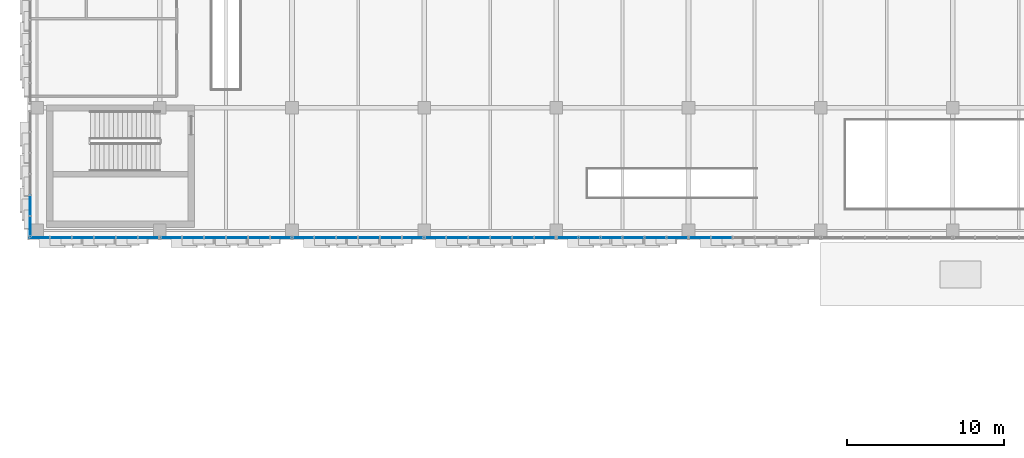
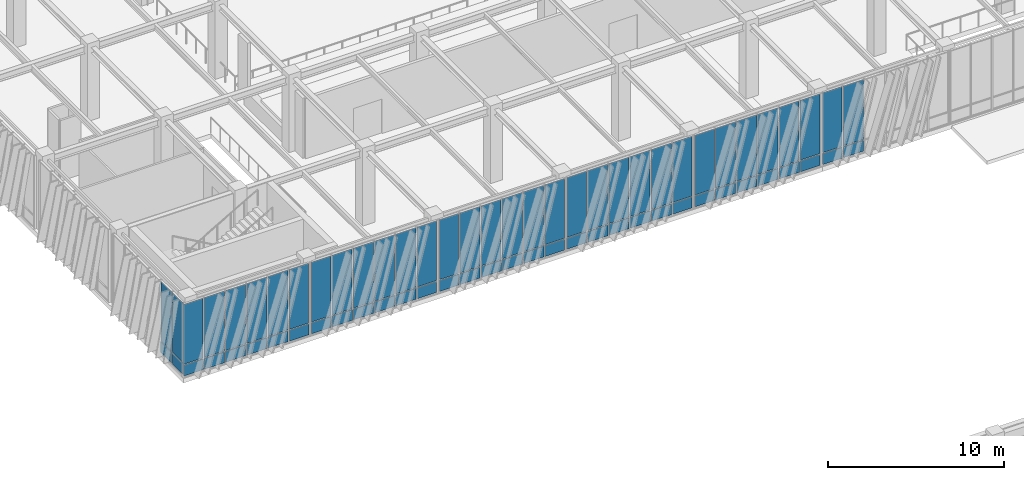
# One storey, part 87 of 139: 68 plates, 7 elements without a shape of their own.
"""IFC4 building model written with IfcOpenShell, lengths in metres."""

import ifcopenshell
import ifcopenshell.guid

model = None  # the IFC model being written
_history = None  # IfcOwnerHistory: only IFC2X3 demands one
_inside = {}  # id of a spatial element -> (the spatial element, [elements in it])
_under = {}  # id of a project, library or spatial element -> (it, [spatial elements below it])
_declared = {}  # id of a project -> (the project, [libraries it declares])
_typed = {}  # id of a type object -> (the type object, [elements of that type])
_made_of = {}  # id of a material, layer set ... -> (it, [elements and type objects made of it])


def new_model(schema):
    """Start an empty IFC model of exactly this schema.

    Asked for "IFC4X3", IfcOpenShell would pick the latest addendum, in which some entities
    have other attributes; the version numbers below select the first issue.
    IFC2X3 requires an IfcOwnerHistory on every rooted entity: one is made here for all.
    """
    global model, _history
    if schema == "IFC4X3":
        model = ifcopenshell.file(schema_version=(4, 3, 0, 0))
    else:
        model = ifcopenshell.file(schema=schema)
    _inside.clear()
    _under.clear()
    _declared.clear()
    _typed.clear()
    _made_of.clear()
    _history = None
    if model.schema == "IFC2X3":
        org = make("IfcOrganization", Name="unknown")
        user = make(
            "IfcPersonAndOrganization",
            ThePerson=make("IfcPerson", FamilyName="unknown"),
            TheOrganization=org,
        )
        app = make(
            "IfcApplication",
            ApplicationDeveloper=org,
            Version="unknown",
            ApplicationFullName="unknown",
            ApplicationIdentifier="unknown",
        )
        _history = make(
            "IfcOwnerHistory",
            OwningUser=user,
            OwningApplication=app,
            ChangeAction="ADDED",
            CreationDate=0,
        )
    return model


def make(cls, **values):
    """One entity of the class cls with the attributes given. An attribute that is None is left unset."""
    return model.create_entity(
        cls, **{name: value for name, value in values.items() if value is not None}
    )


def rooted(cls, **values):
    """An entity with a GlobalId (a new one), such as an element, a storey or a relation."""
    return make(cls, GlobalId=ifcopenshell.guid.new(), OwnerHistory=_history, **values)


def si_unit(unit_type, name, prefix=None):
    """IfcSIUnit, for example si_unit("LENGTHUNIT", "METRE", prefix="MILLI")."""
    return make("IfcSIUnit", UnitType=unit_type, Prefix=prefix, Name=name)


def assignment(units):
    """IfcUnitAssignment: the units of a project."""
    return None if units is None else make("IfcUnitAssignment", Units=units)


def point(xyz):
    """IfcCartesianPoint."""
    return None if xyz is None else make("IfcCartesianPoint", Coordinates=xyz)


def direction(xyz):
    """IfcDirection."""
    return None if xyz is None else make("IfcDirection", DirectionRatios=xyz)


def frame(location, z_axis=None, x_axis=None):
    """IfcAxis2Placement3D, a coordinate frame: its origin and axes. An axis left out is left unset."""
    return make(
        "IfcAxis2Placement3D",
        Location=point(location),
        Axis=direction(z_axis),
        RefDirection=direction(x_axis),
    )


def frame_2d(location, x_axis=None):
    """IfcAxis2Placement2D, a coordinate frame in the plane: its origin and x axis."""
    return make(
        "IfcAxis2Placement2D", Location=point(location), RefDirection=direction(x_axis)
    )


def origin():
    """The frame at (0, 0, 0) with its axes left unset."""
    return frame((0.0, 0.0, 0.0))


def origin_2d():
    """The frame at (0, 0) in the plane with its x axis left unset."""
    return frame_2d((0.0, 0.0))


def place(relative_to, where):
    """IfcLocalPlacement: puts the frame where relative to a parent placement (None: the world)."""
    return make(
        "IfcLocalPlacement", PlacementRelTo=relative_to, RelativePlacement=where
    )


def context(
    kind, dimensions, precision=None, world=None, true_north=None, identifier=None
):
    """IfcGeometricRepresentationContext, for example the 3D "Model" context."""
    return make(
        "IfcGeometricRepresentationContext",
        ContextIdentifier=identifier,
        ContextType=kind,
        CoordinateSpaceDimension=dimensions,
        Precision=precision,
        WorldCoordinateSystem=world,
        TrueNorth=true_north,
    )


def subcontext(parent, identifier, kind, view, scale=None):
    """IfcGeometricRepresentationSubContext, for example "Body" below "Model"."""
    return make(
        "IfcGeometricRepresentationSubContext",
        ContextIdentifier=identifier,
        ContextType=kind,
        ParentContext=parent,
        TargetScale=scale,
        TargetView=view,
    )


def project(units=None, contexts=None):
    """IfcProject with its units and contexts."""
    return rooted(
        "IfcProject",
        Name="project",
        RepresentationContexts=contexts,
        UnitsInContext=assignment(units),
    )


def spatial(cls, under=None, at=None, **own):
    """A site, building, storey or space (cls), placed at a placement, below another one or the project."""
    s = rooted(cls, ObjectPlacement=at, **own)
    if under is not None:
        _under.setdefault(under.id(), (under, []))[1].append(s)
    return s


def profile(cls, at=None, kind="AREA", **sizes):
    """A parametric profile (cls). Its sizes go by their IFC names, for example OverallWidth=200.0."""
    return make(cls, ProfileType=kind, Position=at, **sizes)


def rectangle(**sizes):
    """IfcRectangleProfileDef."""
    return profile("IfcRectangleProfileDef", **sizes)


def extrude(swept, where, along, depth):
    """IfcExtrudedAreaSolid: the profile swept, set in the frame where, extruded along a direction by depth."""
    return make(
        "IfcExtrudedAreaSolid",
        SweptArea=swept,
        Position=where,
        ExtrudedDirection=direction(along),
        Depth=depth,
    )


def shape(context_of_items, identifier, shape_type, items):
    """IfcShapeRepresentation: the items that make up one representation, for example the "Body"."""
    return make(
        "IfcShapeRepresentation",
        ContextOfItems=context_of_items,
        RepresentationIdentifier=identifier,
        RepresentationType=shape_type,
        Items=items,
    )


def material(Name=None, Category=None):
    """IfcMaterial."""
    return make("IfcMaterial", Name=Name, Category=Category)


def layer(
    of_material, thickness, ventilated=None, Name=None, Category=None, Priority=None
):
    """IfcMaterialLayer: one layer of a wall or slab, of a material (None: an air gap)."""
    return make(
        "IfcMaterialLayer",
        Material=of_material,
        LayerThickness=thickness,
        IsVentilated=ventilated,
        Name=Name,
        Category=Category,
        Priority=Priority,
    )


def layer_set(layers, Name=None):
    """IfcMaterialLayerSet."""
    return make("IfcMaterialLayerSet", MaterialLayers=layers, LayerSetName=Name)


def made_of(thing, what):
    """Note that an element or type object is made of a material, layer set ...; save() writes the relation."""
    if what is not None:
        _made_of.setdefault(what.id(), (what, []))[1].append(thing)
    return thing


def type_object(cls, material=None, **own):
    """A type object (cls), such as IfcWallType, which elements share."""
    return made_of(rooted(cls, **own), material)


def element(
    cls,
    number,
    at=None,
    inside=None,
    cuts=None,
    type_object=None,
    material=None,
    context=None,
    identifier="Body",
    shape_type=None,
    held_by="IfcProductDefinitionShape",
    body=None,
    shapes=None,
    **own,
):
    """One element of the class cls, such as IfcWall. Its Tag is "e" and its number.

    at: its placement. inside: the storey or other place that contains it. cuts: it is an
    opening in that element (IfcRelVoidsElement). A single representation is given by context,
    identifier, shape_type and body (its items); several are given by shapes. held_by: the class
    of the entity that holds the representations. save() writes the other relations.
    """
    e = rooted(cls, Tag="e%d" % number, ObjectPlacement=at, **own)
    if body is not None:
        shapes = [shape(context, identifier, shape_type, body)]
    if shapes is not None:
        e.Representation = make(held_by, Representations=shapes)
    if inside is not None:
        _inside.setdefault(inside.id(), (inside, []))[1].append(e)
    if cuts is not None:
        rooted(
            "IfcRelVoidsElement", RelatingBuildingElement=cuts, RelatedOpeningElement=e
        )
    if type_object is not None:
        _typed.setdefault(type_object.id(), (type_object, []))[1].append(e)
    return made_of(e, material)


def aggregate(whole, parts):
    """IfcRelAggregates: a whole, such as a stair, and the parts it consists of."""
    return rooted("IfcRelAggregates", RelatingObject=whole, RelatedObjects=parts)


def save(model, path):
    """Write the relations noted so far, then the file.

    IfcRelAggregates (storeys below a building ...), IfcRelContainedInSpatialStructure (elements
    in a storey), IfcRelDefinesByType, IfcRelAssociatesMaterial and IfcRelDeclares: one each for
    every whole, place, type object, material and project.
    """
    for whole, parts in _under.values():
        aggregate(whole, parts)
    for where, things in _inside.values():
        rooted(
            "IfcRelContainedInSpatialStructure",
            RelatedElements=things,
            RelatingStructure=where,
        )
    for kind, things in _typed.values():
        rooted("IfcRelDefinesByType", RelatedObjects=things, RelatingType=kind)
    for what, things in _made_of.values():
        rooted("IfcRelAssociatesMaterial", RelatedObjects=things, RelatingMaterial=what)
    for by, libraries in _declared.values():
        rooted("IfcRelDeclares", RelatingContext=by, RelatedDefinitions=libraries)
    model.write(path)


model = new_model("IFC4")

# Units and contexts
model_context = context("Model", 3, precision=1e-05, world=origin(), true_north=direction((0.0, 1.0)))
body_context = subcontext(model_context, "Body", "Model", "MODEL_VIEW")
ifc_project = project(units=[si_unit("LENGTHUNIT", "METRE"), si_unit("AREAUNIT", "SQUARE_METRE"), si_unit("VOLUMEUNIT", "CUBIC_METRE"), si_unit("PLANEANGLEUNIT", "RADIAN"), si_unit("MASSUNIT", "GRAM", prefix="KILO")], contexts=[model_context])

# Site, building, storey
site_placement = place(None, origin())
site = spatial("IfcSite", under=ifc_project, at=site_placement, CompositionType="ELEMENT")
building_placement = place(site_placement, origin())
building = spatial("IfcBuilding", under=site, at=building_placement, Name="Zayran Congress Hotel", CompositionType="ELEMENT")
storey_placement = place(building_placement, frame((0.0, 0.0, 5.39990234375)))
storey = spatial("IfcBuildingStorey", under=building, at=storey_placement, Name="L01", CompositionType="ELEMENT", Elevation=5.39990234375)

# Curtain wall, plates
ifc_material_1 = material(Name="Anodised aluminium and low-E insulated glass", Category="aluminium")
ifc_layer_1 = layer(ifc_material_1, 0.179931640625)
ifc_layer_set_1 = layer_set([ifc_layer_1], Name="Anodised aluminium and low-E insulated glass")
curtain_wall_type_1 = type_object("IfcCurtainWallType", Name="CW-V1S-L01-CW-11-8380-5080", PredefinedType="USERDEFINED", material=ifc_layer_set_1)
curtain_wall_1_placement = place(storey_placement, origin())
curtain_wall_1 = element("IfcCurtainWall", 1, at=curtain_wall_1_placement, inside=storey, type_object=curtain_wall_type_1, Name="CW-V1S-L01-0", ObjectType="CURTAIN WALL", PredefinedType="USERDEFINED")
ifc_layer_2 = layer(ifc_material_1, 0.028076171875)
ifc_layer_set_2 = layer_set([ifc_layer_2], Name="Anodised aluminium and low-E insulated glass")
plate_type_1 = type_object("IfcPlateType", Name="CWP-GL-1277-4150", PredefinedType="CURTAIN_PANEL", material=ifc_layer_set_2)
plate_1_placement = place(storey_placement, frame((9.12841796875, 67.75, 0.8701171875), z_axis=(0.0, 0.0, 1.0), x_axis=(1.0, 0.0, 0.0)))
plate_1 = element("IfcPlate", 2, at=plate_1_placement, type_object=plate_type_1, Name="CW-11 Glazed Panel 1", PredefinedType="CURTAIN_PANEL", context=body_context, shape_type="SweptSolid", body=[
    extrude(rectangle(XDim=1.276611328125, YDim=0.028076171875, at=origin_2d()), origin(), (0.0, 0.0, 1.0), 4.14990234375),
])
plate_2_placement = place(storey_placement, frame((10.5048828125, 67.75, 0.8701171875), z_axis=(0.0, 0.0, 1.0), x_axis=(1.0, 0.0, 0.0)))
plate_2 = element("IfcPlate", 3, at=plate_2_placement, type_object=plate_type_1, Name="CW-11 Glazed Panel 2", PredefinedType="CURTAIN_PANEL", context=body_context, shape_type="SweptSolid", body=[
    extrude(rectangle(XDim=1.316650390625, YDim=0.028076171875, at=origin_2d()), origin(), (0.0, 0.0, 1.0), 4.14990234375),
])
plate_3_placement = place(storey_placement, frame((11.901611328125, 67.75, 0.8701171875), z_axis=(0.0, 0.0, 1.0), x_axis=(1.0, 0.0, 0.0)))
plate_3 = element("IfcPlate", 4, at=plate_3_placement, type_object=plate_type_1, Name="CW-11 Glazed Panel 3", PredefinedType="CURTAIN_PANEL", context=body_context, shape_type="SweptSolid", body=[
    extrude(rectangle(XDim=1.316650390625, YDim=0.028076171875, at=origin_2d()), origin(), (0.0, 0.0, 1.0), 4.14990234375),
])
plate_4_placement = place(storey_placement, frame((13.29833984375, 67.75, 0.8701171875), z_axis=(0.0, 0.0, 1.0), x_axis=(1.0, 0.0, 0.0)))
plate_4 = element("IfcPlate", 5, at=plate_4_placement, type_object=plate_type_1, Name="CW-11 Glazed Panel 4", PredefinedType="CURTAIN_PANEL", context=body_context, shape_type="SweptSolid", body=[
    extrude(rectangle(XDim=1.316650390625, YDim=0.028076171875, at=origin_2d()), origin(), (0.0, 0.0, 1.0), 4.14990234375),
])
plate_5_placement = place(storey_placement, frame((14.695068359375, 67.75, 0.8701171875), z_axis=(0.0, 0.0, 1.0), x_axis=(1.0, 0.0, 0.0)))
plate_5 = element("IfcPlate", 6, at=plate_5_placement, type_object=plate_type_1, Name="CW-11 Glazed Panel 5", PredefinedType="CURTAIN_PANEL", context=body_context, shape_type="SweptSolid", body=[
    extrude(rectangle(XDim=1.316650390625, YDim=0.028076171875, at=origin_2d()), origin(), (0.0, 0.0, 1.0), 4.14990234375),
])
plate_6_placement = place(storey_placement, frame((16.07177734375, 67.75, 0.8701171875), z_axis=(0.0, 0.0, 1.0), x_axis=(1.0, 0.0, 0.0)))
plate_6 = element("IfcPlate", 7, at=plate_6_placement, type_object=plate_type_1, Name="CW-11 Glazed Panel 6", PredefinedType="CURTAIN_PANEL", context=body_context, shape_type="SweptSolid", body=[
    extrude(rectangle(XDim=1.276611328125, YDim=0.028076171875, at=origin_2d()), origin(), (0.0, 0.0, 1.0), 4.14990234375),
])

ifc_layer_3 = layer(ifc_material_1, 0.179931640625)
ifc_layer_set_3 = layer_set([ifc_layer_3], Name="Anodised aluminium and low-E insulated glass")
curtain_wall_type_2 = type_object("IfcCurtainWallType", Name="CW-V1S-L01-CW-12-8380-5080", PredefinedType="USERDEFINED", material=ifc_layer_set_3)
curtain_wall_2_placement = place(storey_placement, origin())
curtain_wall_2 = element("IfcCurtainWall", 8, at=curtain_wall_2_placement, inside=storey, type_object=curtain_wall_type_2, Name="CW-V1S-L01-1", ObjectType="CURTAIN WALL", PredefinedType="USERDEFINED")
plate_7_placement = place(storey_placement, frame((17.5283203125, 67.75, 0.8701171875), z_axis=(0.0, 0.0, 1.0), x_axis=(1.0, 0.0, 0.0)))
plate_7 = element("IfcPlate", 9, at=plate_7_placement, type_object=plate_type_1, Name="CW-12 Glazed Panel 1", PredefinedType="CURTAIN_PANEL", context=body_context, shape_type="SweptSolid", body=[
    extrude(rectangle(XDim=1.276611328125, YDim=0.028076171875, at=origin_2d()), origin(), (0.0, 0.0, 1.0), 4.14990234375),
])
plate_8_placement = place(storey_placement, frame((18.905029296875, 67.75, 0.8701171875), z_axis=(0.0, 0.0, 1.0), x_axis=(1.0, 0.0, 0.0)))
plate_8 = element("IfcPlate", 10, at=plate_8_placement, type_object=plate_type_1, Name="CW-12 Glazed Panel 2", PredefinedType="CURTAIN_PANEL", context=body_context, shape_type="SweptSolid", body=[
    extrude(rectangle(XDim=1.316650390625, YDim=0.028076171875, at=origin_2d()), origin(), (0.0, 0.0, 1.0), 4.14990234375),
])
plate_9_placement = place(storey_placement, frame((20.3017578125, 67.75, 0.8701171875), z_axis=(0.0, 0.0, 1.0), x_axis=(1.0, 0.0, 0.0)))
plate_9 = element("IfcPlate", 11, at=plate_9_placement, type_object=plate_type_1, Name="CW-12 Glazed Panel 3", PredefinedType="CURTAIN_PANEL", context=body_context, shape_type="SweptSolid", body=[
    extrude(rectangle(XDim=1.316650390625, YDim=0.028076171875, at=origin_2d()), origin(), (0.0, 0.0, 1.0), 4.14990234375),
])
plate_10_placement = place(storey_placement, frame((21.6982421875, 67.75, 0.8701171875), z_axis=(0.0, 0.0, 1.0), x_axis=(1.0, 0.0, 0.0)))
plate_10 = element("IfcPlate", 12, at=plate_10_placement, type_object=plate_type_1, Name="CW-12 Glazed Panel 4", PredefinedType="CURTAIN_PANEL", context=body_context, shape_type="SweptSolid", body=[
    extrude(rectangle(XDim=1.316650390625, YDim=0.028076171875, at=origin_2d()), origin(), (0.0, 0.0, 1.0), 4.14990234375),
])
plate_11_placement = place(storey_placement, frame((23.094970703125, 67.75, 0.8701171875), z_axis=(0.0, 0.0, 1.0), x_axis=(1.0, 0.0, 0.0)))
plate_11 = element("IfcPlate", 13, at=plate_11_placement, type_object=plate_type_1, Name="CW-12 Glazed Panel 5", PredefinedType="CURTAIN_PANEL", context=body_context, shape_type="SweptSolid", body=[
    extrude(rectangle(XDim=1.316650390625, YDim=0.028076171875, at=origin_2d()), origin(), (0.0, 0.0, 1.0), 4.14990234375),
])
plate_12_placement = place(storey_placement, frame((24.4716796875, 67.75, 0.8701171875), z_axis=(0.0, 0.0, 1.0), x_axis=(1.0, 0.0, 0.0)))
plate_12 = element("IfcPlate", 14, at=plate_12_placement, type_object=plate_type_1, Name="CW-12 Glazed Panel 6", PredefinedType="CURTAIN_PANEL", context=body_context, shape_type="SweptSolid", body=[
    extrude(rectangle(XDim=1.276611328125, YDim=0.028076171875, at=origin_2d()), origin(), (0.0, 0.0, 1.0), 4.14990234375),
])

ifc_layer_4 = layer(ifc_material_1, 0.179931640625)
ifc_layer_set_4 = layer_set([ifc_layer_4], Name="Anodised aluminium and low-E insulated glass")
curtain_wall_type_3 = type_object("IfcCurtainWallType", Name="CW-V1S-L01-CW-13-8380-5080", PredefinedType="USERDEFINED", material=ifc_layer_set_4)
curtain_wall_3_placement = place(storey_placement, origin())
curtain_wall_3 = element("IfcCurtainWall", 15, at=curtain_wall_3_placement, inside=storey, type_object=curtain_wall_type_3, Name="CW-V1S-L01-2", ObjectType="CURTAIN WALL", PredefinedType="USERDEFINED")
plate_13_placement = place(storey_placement, frame((25.92822265625, 67.75, 0.8701171875), z_axis=(0.0, 0.0, 1.0), x_axis=(1.0, 0.0, 0.0)))
plate_13 = element("IfcPlate", 16, at=plate_13_placement, type_object=plate_type_1, Name="CW-13 Glazed Panel 1", PredefinedType="CURTAIN_PANEL", context=body_context, shape_type="SweptSolid", body=[
    extrude(rectangle(XDim=1.276611328125, YDim=0.028076171875, at=origin_2d()), origin(), (0.0, 0.0, 1.0), 4.14990234375),
])
plate_14_placement = place(storey_placement, frame((27.304931640625, 67.75, 0.8701171875), z_axis=(0.0, 0.0, 1.0), x_axis=(1.0, 0.0, 0.0)))
plate_14 = element("IfcPlate", 17, at=plate_14_placement, type_object=plate_type_1, Name="CW-13 Glazed Panel 2", PredefinedType="CURTAIN_PANEL", context=body_context, shape_type="SweptSolid", body=[
    extrude(rectangle(XDim=1.316650390625, YDim=0.028076171875, at=origin_2d()), origin(), (0.0, 0.0, 1.0), 4.14990234375),
])
plate_15_placement = place(storey_placement, frame((28.70166015625, 67.75, 0.8701171875), z_axis=(0.0, 0.0, 1.0), x_axis=(1.0, 0.0, 0.0)))
plate_15 = element("IfcPlate", 18, at=plate_15_placement, type_object=plate_type_1, Name="CW-13 Glazed Panel 3", PredefinedType="CURTAIN_PANEL", context=body_context, shape_type="SweptSolid", body=[
    extrude(rectangle(XDim=1.316650390625, YDim=0.028076171875, at=origin_2d()), origin(), (0.0, 0.0, 1.0), 4.14990234375),
])
plate_16_placement = place(storey_placement, frame((30.098388671875, 67.75, 0.8701171875), z_axis=(0.0, 0.0, 1.0), x_axis=(1.0, 0.0, 0.0)))
plate_16 = element("IfcPlate", 19, at=plate_16_placement, type_object=plate_type_1, Name="CW-13 Glazed Panel 4", PredefinedType="CURTAIN_PANEL", context=body_context, shape_type="SweptSolid", body=[
    extrude(rectangle(XDim=1.316650390625, YDim=0.028076171875, at=origin_2d()), origin(), (0.0, 0.0, 1.0), 4.14990234375),
])
plate_17_placement = place(storey_placement, frame((31.4951171875, 67.75, 0.8701171875), z_axis=(0.0, 0.0, 1.0), x_axis=(1.0, 0.0, 0.0)))
plate_17 = element("IfcPlate", 20, at=plate_17_placement, type_object=plate_type_1, Name="CW-13 Glazed Panel 5", PredefinedType="CURTAIN_PANEL", context=body_context, shape_type="SweptSolid", body=[
    extrude(rectangle(XDim=1.316650390625, YDim=0.028076171875, at=origin_2d()), origin(), (0.0, 0.0, 1.0), 4.14990234375),
])
plate_18_placement = place(storey_placement, frame((32.87158203125, 67.75, 0.8701171875), z_axis=(0.0, 0.0, 1.0), x_axis=(1.0, 0.0, 0.0)))
plate_18 = element("IfcPlate", 21, at=plate_18_placement, type_object=plate_type_1, Name="CW-13 Glazed Panel 6", PredefinedType="CURTAIN_PANEL", context=body_context, shape_type="SweptSolid", body=[
    extrude(rectangle(XDim=1.276611328125, YDim=0.028076171875, at=origin_2d()), origin(), (0.0, 0.0, 1.0), 4.14990234375),
])

curtain_wall_4_placement = place(storey_placement, origin())
curtain_wall_4 = element("IfcCurtainWall", 22, at=curtain_wall_4_placement, inside=storey, type_object=curtain_wall_type_1, Name="CW-V1S-L01-3", ObjectType="CURTAIN WALL", PredefinedType="USERDEFINED")
plate_19_placement = place(storey_placement, frame((34.328369140625, 67.75, 0.8701171875), z_axis=(0.0, 0.0, 1.0), x_axis=(1.0, 0.0, 0.0)))
plate_19 = element("IfcPlate", 23, at=plate_19_placement, type_object=plate_type_1, Name="CW-11 Glazed Panel 1", PredefinedType="CURTAIN_PANEL", context=body_context, shape_type="SweptSolid", body=[
    extrude(rectangle(XDim=1.276611328125, YDim=0.028076171875, at=origin_2d()), origin(), (0.0, 0.0, 1.0), 4.14990234375),
])
plate_20_placement = place(storey_placement, frame((35.705078125, 67.75, 0.8701171875), z_axis=(0.0, 0.0, 1.0), x_axis=(1.0, 0.0, 0.0)))
plate_20 = element("IfcPlate", 24, at=plate_20_placement, type_object=plate_type_1, Name="CW-11 Glazed Panel 2", PredefinedType="CURTAIN_PANEL", context=body_context, shape_type="SweptSolid", body=[
    extrude(rectangle(XDim=1.316650390625, YDim=0.028076171875, at=origin_2d()), origin(), (0.0, 0.0, 1.0), 4.14990234375),
])
plate_21_placement = place(storey_placement, frame((37.101806640625, 67.75, 0.8701171875), z_axis=(0.0, 0.0, 1.0), x_axis=(1.0, 0.0, 0.0)))
plate_21 = element("IfcPlate", 25, at=plate_21_placement, type_object=plate_type_1, Name="CW-11 Glazed Panel 3", PredefinedType="CURTAIN_PANEL", context=body_context, shape_type="SweptSolid", body=[
    extrude(rectangle(XDim=1.316650390625, YDim=0.028076171875, at=origin_2d()), origin(), (0.0, 0.0, 1.0), 4.14990234375),
])
plate_22_placement = place(storey_placement, frame((38.498291015625, 67.75, 0.8701171875), z_axis=(0.0, 0.0, 1.0), x_axis=(1.0, 0.0, 0.0)))
plate_22 = element("IfcPlate", 26, at=plate_22_placement, type_object=plate_type_1, Name="CW-11 Glazed Panel 4", PredefinedType="CURTAIN_PANEL", context=body_context, shape_type="SweptSolid", body=[
    extrude(rectangle(XDim=1.316650390625, YDim=0.028076171875, at=origin_2d()), origin(), (0.0, 0.0, 1.0), 4.14990234375),
])
plate_23_placement = place(storey_placement, frame((39.89501953125, 67.75, 0.8701171875), z_axis=(0.0, 0.0, 1.0), x_axis=(1.0, 0.0, 0.0)))
plate_23 = element("IfcPlate", 27, at=plate_23_placement, type_object=plate_type_1, Name="CW-11 Glazed Panel 5", PredefinedType="CURTAIN_PANEL", context=body_context, shape_type="SweptSolid", body=[
    extrude(rectangle(XDim=1.316650390625, YDim=0.028076171875, at=origin_2d()), origin(), (0.0, 0.0, 1.0), 4.14990234375),
])
plate_24_placement = place(storey_placement, frame((41.271728515625, 67.75, 0.8701171875), z_axis=(0.0, 0.0, 1.0), x_axis=(1.0, 0.0, 0.0)))
plate_24 = element("IfcPlate", 28, at=plate_24_placement, type_object=plate_type_1, Name="CW-11 Glazed Panel 6", PredefinedType="CURTAIN_PANEL", context=body_context, shape_type="SweptSolid", body=[
    extrude(rectangle(XDim=1.276611328125, YDim=0.028076171875, at=origin_2d()), origin(), (0.0, 0.0, 1.0), 4.14990234375),
])

curtain_wall_5_placement = place(storey_placement, origin())
curtain_wall_5 = element("IfcCurtainWall", 29, at=curtain_wall_5_placement, inside=storey, type_object=curtain_wall_type_2, Name="CW-V1S-L01-4", ObjectType="CURTAIN WALL", PredefinedType="USERDEFINED")
plate_25_placement = place(storey_placement, frame((42.728271484375, 67.75, 0.8701171875), z_axis=(0.0, 0.0, 1.0), x_axis=(1.0, 0.0, 0.0)))
plate_25 = element("IfcPlate", 30, at=plate_25_placement, type_object=plate_type_1, Name="CW-12 Glazed Panel 1", PredefinedType="CURTAIN_PANEL", context=body_context, shape_type="SweptSolid", body=[
    extrude(rectangle(XDim=1.276611328125, YDim=0.028076171875, at=origin_2d()), origin(), (0.0, 0.0, 1.0), 4.14990234375),
])
plate_26_placement = place(storey_placement, frame((44.10498046875, 67.75, 0.8701171875), z_axis=(0.0, 0.0, 1.0), x_axis=(1.0, 0.0, 0.0)))
plate_26 = element("IfcPlate", 31, at=plate_26_placement, type_object=plate_type_1, Name="CW-12 Glazed Panel 2", PredefinedType="CURTAIN_PANEL", context=body_context, shape_type="SweptSolid", body=[
    extrude(rectangle(XDim=1.316650390625, YDim=0.028076171875, at=origin_2d()), origin(), (0.0, 0.0, 1.0), 4.14990234375),
])
plate_27_placement = place(storey_placement, frame((45.501708984375, 67.75, 0.8701171875), z_axis=(0.0, 0.0, 1.0), x_axis=(1.0, 0.0, 0.0)))
plate_27 = element("IfcPlate", 32, at=plate_27_placement, type_object=plate_type_1, Name="CW-12 Glazed Panel 3", PredefinedType="CURTAIN_PANEL", context=body_context, shape_type="SweptSolid", body=[
    extrude(rectangle(XDim=1.316650390625, YDim=0.028076171875, at=origin_2d()), origin(), (0.0, 0.0, 1.0), 4.14990234375),
])
plate_28_placement = place(storey_placement, frame((46.898193359375, 67.75, 0.8701171875), z_axis=(0.0, 0.0, 1.0), x_axis=(1.0, 0.0, 0.0)))
plate_28 = element("IfcPlate", 33, at=plate_28_placement, type_object=plate_type_1, Name="CW-12 Glazed Panel 4", PredefinedType="CURTAIN_PANEL", context=body_context, shape_type="SweptSolid", body=[
    extrude(rectangle(XDim=1.316650390625, YDim=0.028076171875, at=origin_2d()), origin(), (0.0, 0.0, 1.0), 4.14990234375),
])
plate_29_placement = place(storey_placement, frame((48.294921875, 67.75, 0.8701171875), z_axis=(0.0, 0.0, 1.0), x_axis=(1.0, 0.0, 0.0)))
plate_29 = element("IfcPlate", 34, at=plate_29_placement, type_object=plate_type_1, Name="CW-12 Glazed Panel 5", PredefinedType="CURTAIN_PANEL", context=body_context, shape_type="SweptSolid", body=[
    extrude(rectangle(XDim=1.316650390625, YDim=0.028076171875, at=origin_2d()), origin(), (0.0, 0.0, 1.0), 4.14990234375),
])
plate_30_placement = place(storey_placement, frame((49.671630859375, 67.75, 0.8701171875), z_axis=(0.0, 0.0, 1.0), x_axis=(1.0, 0.0, 0.0)))
plate_30 = element("IfcPlate", 35, at=plate_30_placement, type_object=plate_type_1, Name="CW-12 Glazed Panel 6", PredefinedType="CURTAIN_PANEL", context=body_context, shape_type="SweptSolid", body=[
    extrude(rectangle(XDim=1.276611328125, YDim=0.028076171875, at=origin_2d()), origin(), (0.0, 0.0, 1.0), 4.14990234375),
])

curtain_wall_6_placement = place(storey_placement, origin())
curtain_wall_6 = element("IfcCurtainWall", 36, at=curtain_wall_6_placement, inside=storey, type_object=curtain_wall_type_3, Name="CW-V1S-L01-5", ObjectType="CURTAIN WALL", PredefinedType="USERDEFINED")
plate_31_placement = place(storey_placement, frame((51.12841796875, 67.75, 0.8701171875), z_axis=(0.0, 0.0, 1.0), x_axis=(1.0, 0.0, 0.0)))
plate_31 = element("IfcPlate", 37, at=plate_31_placement, type_object=plate_type_1, Name="CW-13 Glazed Panel 1", PredefinedType="CURTAIN_PANEL", context=body_context, shape_type="SweptSolid", body=[
    extrude(rectangle(XDim=1.276611328125, YDim=0.028076171875, at=origin_2d()), origin(), (0.0, 0.0, 1.0), 4.14990234375),
])
plate_32_placement = place(storey_placement, frame((52.5048828125, 67.75, 0.8701171875), z_axis=(0.0, 0.0, 1.0), x_axis=(1.0, 0.0, 0.0)))
plate_32 = element("IfcPlate", 38, at=plate_32_placement, type_object=plate_type_1, Name="CW-13 Glazed Panel 2", PredefinedType="CURTAIN_PANEL", context=body_context, shape_type="SweptSolid", body=[
    extrude(rectangle(XDim=1.316650390625, YDim=0.028076171875, at=origin_2d()), origin(), (0.0, 0.0, 1.0), 4.14990234375),
])

# Plate
ifc_material_2 = material(Name="Insulated warm bronze aluminium spandrel panel", Category="aluminium")
ifc_layer_5 = layer(ifc_material_2, 0.06005859375)
ifc_layer_set_5 = layer_set([ifc_layer_5], Name="Insulated warm bronze aluminium spandrel panel")
plate_type_2 = type_object("IfcPlateType", Name="CWP-SP-1277-750", PredefinedType="CURTAIN_PANEL", material=ifc_layer_set_5)
plate_33_placement = place(storey_placement, frame((9.12841796875, 67.75, 0.06005859375), z_axis=(0.0, 0.0, 1.0), x_axis=(1.0, 0.0, 0.0)))
plate_33 = element("IfcPlate", 39, at=plate_33_placement, type_object=plate_type_2, Name="CW-11 Spandrel Panel 1", PredefinedType="CURTAIN_PANEL", context=body_context, shape_type="SweptSolid", body=[
    extrude(rectangle(XDim=1.276611328125, YDim=0.06005859375, at=origin_2d()), origin(), (0.0, 0.0, 1.0), 0.75),
])

plate_34_placement = place(storey_placement, frame((10.5048828125, 67.75, 0.06005859375), z_axis=(0.0, 0.0, 1.0), x_axis=(1.0, 0.0, 0.0)))
plate_34 = element("IfcPlate", 40, at=plate_34_placement, type_object=plate_type_2, Name="CW-11 Spandrel Panel 2", PredefinedType="CURTAIN_PANEL", context=body_context, shape_type="SweptSolid", body=[
    extrude(rectangle(XDim=1.316650390625, YDim=0.06005859375, at=origin_2d()), origin(), (0.0, 0.0, 1.0), 0.75),
])

plate_35_placement = place(storey_placement, frame((11.901611328125, 67.75, 0.06005859375), z_axis=(0.0, 0.0, 1.0), x_axis=(1.0, 0.0, 0.0)))
plate_35 = element("IfcPlate", 41, at=plate_35_placement, type_object=plate_type_2, Name="CW-11 Spandrel Panel 3", PredefinedType="CURTAIN_PANEL", context=body_context, shape_type="SweptSolid", body=[
    extrude(rectangle(XDim=1.316650390625, YDim=0.06005859375, at=origin_2d()), origin(), (0.0, 0.0, 1.0), 0.75),
])

plate_36_placement = place(storey_placement, frame((13.29833984375, 67.75, 0.06005859375), z_axis=(0.0, 0.0, 1.0), x_axis=(1.0, 0.0, 0.0)))
plate_36 = element("IfcPlate", 42, at=plate_36_placement, type_object=plate_type_2, Name="CW-11 Spandrel Panel 4", PredefinedType="CURTAIN_PANEL", context=body_context, shape_type="SweptSolid", body=[
    extrude(rectangle(XDim=1.316650390625, YDim=0.06005859375, at=origin_2d()), origin(), (0.0, 0.0, 1.0), 0.75),
])

plate_37_placement = place(storey_placement, frame((14.695068359375, 67.75, 0.06005859375), z_axis=(0.0, 0.0, 1.0), x_axis=(1.0, 0.0, 0.0)))
plate_37 = element("IfcPlate", 43, at=plate_37_placement, type_object=plate_type_2, Name="CW-11 Spandrel Panel 5", PredefinedType="CURTAIN_PANEL", context=body_context, shape_type="SweptSolid", body=[
    extrude(rectangle(XDim=1.316650390625, YDim=0.06005859375, at=origin_2d()), origin(), (0.0, 0.0, 1.0), 0.75),
])

plate_38_placement = place(storey_placement, frame((16.07177734375, 67.75, 0.06005859375), z_axis=(0.0, 0.0, 1.0), x_axis=(1.0, 0.0, 0.0)))
plate_38 = element("IfcPlate", 44, at=plate_38_placement, type_object=plate_type_2, Name="CW-11 Spandrel Panel 6", PredefinedType="CURTAIN_PANEL", context=body_context, shape_type="SweptSolid", body=[
    extrude(rectangle(XDim=1.276611328125, YDim=0.06005859375, at=origin_2d()), origin(), (0.0, 0.0, 1.0), 0.75),
])

aggregate(curtain_wall_1, [plate_33, plate_1, plate_34, plate_2, plate_35, plate_3, plate_36, plate_4, plate_37, plate_5, plate_38, plate_6])

plate_39_placement = place(storey_placement, frame((17.5283203125, 67.75, 0.06005859375), z_axis=(0.0, 0.0, 1.0), x_axis=(1.0, 0.0, 0.0)))
plate_39 = element("IfcPlate", 45, at=plate_39_placement, type_object=plate_type_2, Name="CW-12 Spandrel Panel 1", PredefinedType="CURTAIN_PANEL", context=body_context, shape_type="SweptSolid", body=[
    extrude(rectangle(XDim=1.276611328125, YDim=0.06005859375, at=origin_2d()), origin(), (0.0, 0.0, 1.0), 0.75),
])

plate_40_placement = place(storey_placement, frame((18.905029296875, 67.75, 0.06005859375), z_axis=(0.0, 0.0, 1.0), x_axis=(1.0, 0.0, 0.0)))
plate_40 = element("IfcPlate", 46, at=plate_40_placement, type_object=plate_type_2, Name="CW-12 Spandrel Panel 2", PredefinedType="CURTAIN_PANEL", context=body_context, shape_type="SweptSolid", body=[
    extrude(rectangle(XDim=1.316650390625, YDim=0.06005859375, at=origin_2d()), origin(), (0.0, 0.0, 1.0), 0.75),
])

plate_41_placement = place(storey_placement, frame((20.3017578125, 67.75, 0.06005859375), z_axis=(0.0, 0.0, 1.0), x_axis=(1.0, 0.0, 0.0)))
plate_41 = element("IfcPlate", 47, at=plate_41_placement, type_object=plate_type_2, Name="CW-12 Spandrel Panel 3", PredefinedType="CURTAIN_PANEL", context=body_context, shape_type="SweptSolid", body=[
    extrude(rectangle(XDim=1.316650390625, YDim=0.06005859375, at=origin_2d()), origin(), (0.0, 0.0, 1.0), 0.75),
])

plate_42_placement = place(storey_placement, frame((21.6982421875, 67.75, 0.06005859375), z_axis=(0.0, 0.0, 1.0), x_axis=(1.0, 0.0, 0.0)))
plate_42 = element("IfcPlate", 48, at=plate_42_placement, type_object=plate_type_2, Name="CW-12 Spandrel Panel 4", PredefinedType="CURTAIN_PANEL", context=body_context, shape_type="SweptSolid", body=[
    extrude(rectangle(XDim=1.316650390625, YDim=0.06005859375, at=origin_2d()), origin(), (0.0, 0.0, 1.0), 0.75),
])

plate_43_placement = place(storey_placement, frame((23.094970703125, 67.75, 0.06005859375), z_axis=(0.0, 0.0, 1.0), x_axis=(1.0, 0.0, 0.0)))
plate_43 = element("IfcPlate", 49, at=plate_43_placement, type_object=plate_type_2, Name="CW-12 Spandrel Panel 5", PredefinedType="CURTAIN_PANEL", context=body_context, shape_type="SweptSolid", body=[
    extrude(rectangle(XDim=1.316650390625, YDim=0.06005859375, at=origin_2d()), origin(), (0.0, 0.0, 1.0), 0.75),
])

plate_44_placement = place(storey_placement, frame((24.4716796875, 67.75, 0.06005859375), z_axis=(0.0, 0.0, 1.0), x_axis=(1.0, 0.0, 0.0)))
plate_44 = element("IfcPlate", 50, at=plate_44_placement, type_object=plate_type_2, Name="CW-12 Spandrel Panel 6", PredefinedType="CURTAIN_PANEL", context=body_context, shape_type="SweptSolid", body=[
    extrude(rectangle(XDim=1.276611328125, YDim=0.06005859375, at=origin_2d()), origin(), (0.0, 0.0, 1.0), 0.75),
])

aggregate(curtain_wall_2, [plate_39, plate_7, plate_40, plate_8, plate_41, plate_9, plate_42, plate_10, plate_43, plate_11, plate_44, plate_12])

plate_45_placement = place(storey_placement, frame((25.92822265625, 67.75, 0.06005859375), z_axis=(0.0, 0.0, 1.0), x_axis=(1.0, 0.0, 0.0)))
plate_45 = element("IfcPlate", 51, at=plate_45_placement, type_object=plate_type_2, Name="CW-13 Spandrel Panel 1", PredefinedType="CURTAIN_PANEL", context=body_context, shape_type="SweptSolid", body=[
    extrude(rectangle(XDim=1.276611328125, YDim=0.06005859375, at=origin_2d()), origin(), (0.0, 0.0, 1.0), 0.75),
])

plate_46_placement = place(storey_placement, frame((27.304931640625, 67.75, 0.06005859375), z_axis=(0.0, 0.0, 1.0), x_axis=(1.0, 0.0, 0.0)))
plate_46 = element("IfcPlate", 52, at=plate_46_placement, type_object=plate_type_2, Name="CW-13 Spandrel Panel 2", PredefinedType="CURTAIN_PANEL", context=body_context, shape_type="SweptSolid", body=[
    extrude(rectangle(XDim=1.316650390625, YDim=0.06005859375, at=origin_2d()), origin(), (0.0, 0.0, 1.0), 0.75),
])

plate_47_placement = place(storey_placement, frame((28.70166015625, 67.75, 0.06005859375), z_axis=(0.0, 0.0, 1.0), x_axis=(1.0, 0.0, 0.0)))
plate_47 = element("IfcPlate", 53, at=plate_47_placement, type_object=plate_type_2, Name="CW-13 Spandrel Panel 3", PredefinedType="CURTAIN_PANEL", context=body_context, shape_type="SweptSolid", body=[
    extrude(rectangle(XDim=1.316650390625, YDim=0.06005859375, at=origin_2d()), origin(), (0.0, 0.0, 1.0), 0.75),
])

plate_48_placement = place(storey_placement, frame((30.098388671875, 67.75, 0.06005859375), z_axis=(0.0, 0.0, 1.0), x_axis=(1.0, 0.0, 0.0)))
plate_48 = element("IfcPlate", 54, at=plate_48_placement, type_object=plate_type_2, Name="CW-13 Spandrel Panel 4", PredefinedType="CURTAIN_PANEL", context=body_context, shape_type="SweptSolid", body=[
    extrude(rectangle(XDim=1.316650390625, YDim=0.06005859375, at=origin_2d()), origin(), (0.0, 0.0, 1.0), 0.75),
])

plate_49_placement = place(storey_placement, frame((31.4951171875, 67.75, 0.06005859375), z_axis=(0.0, 0.0, 1.0), x_axis=(1.0, 0.0, 0.0)))
plate_49 = element("IfcPlate", 55, at=plate_49_placement, type_object=plate_type_2, Name="CW-13 Spandrel Panel 5", PredefinedType="CURTAIN_PANEL", context=body_context, shape_type="SweptSolid", body=[
    extrude(rectangle(XDim=1.316650390625, YDim=0.06005859375, at=origin_2d()), origin(), (0.0, 0.0, 1.0), 0.75),
])

plate_50_placement = place(storey_placement, frame((32.87158203125, 67.75, 0.06005859375), z_axis=(0.0, 0.0, 1.0), x_axis=(1.0, 0.0, 0.0)))
plate_50 = element("IfcPlate", 56, at=plate_50_placement, type_object=plate_type_2, Name="CW-13 Spandrel Panel 6", PredefinedType="CURTAIN_PANEL", context=body_context, shape_type="SweptSolid", body=[
    extrude(rectangle(XDim=1.276611328125, YDim=0.06005859375, at=origin_2d()), origin(), (0.0, 0.0, 1.0), 0.75),
])

aggregate(curtain_wall_3, [plate_45, plate_13, plate_46, plate_14, plate_47, plate_15, plate_48, plate_16, plate_49, plate_17, plate_50, plate_18])

plate_51_placement = place(storey_placement, frame((34.328369140625, 67.75, 0.06005859375), z_axis=(0.0, 0.0, 1.0), x_axis=(1.0, 0.0, 0.0)))
plate_51 = element("IfcPlate", 57, at=plate_51_placement, type_object=plate_type_2, Name="CW-11 Spandrel Panel 1", PredefinedType="CURTAIN_PANEL", context=body_context, shape_type="SweptSolid", body=[
    extrude(rectangle(XDim=1.276611328125, YDim=0.06005859375, at=origin_2d()), origin(), (0.0, 0.0, 1.0), 0.75),
])

plate_52_placement = place(storey_placement, frame((35.705078125, 67.75, 0.06005859375), z_axis=(0.0, 0.0, 1.0), x_axis=(1.0, 0.0, 0.0)))
plate_52 = element("IfcPlate", 58, at=plate_52_placement, type_object=plate_type_2, Name="CW-11 Spandrel Panel 2", PredefinedType="CURTAIN_PANEL", context=body_context, shape_type="SweptSolid", body=[
    extrude(rectangle(XDim=1.316650390625, YDim=0.06005859375, at=origin_2d()), origin(), (0.0, 0.0, 1.0), 0.75),
])

plate_53_placement = place(storey_placement, frame((37.101806640625, 67.75, 0.06005859375), z_axis=(0.0, 0.0, 1.0), x_axis=(1.0, 0.0, 0.0)))
plate_53 = element("IfcPlate", 59, at=plate_53_placement, type_object=plate_type_2, Name="CW-11 Spandrel Panel 3", PredefinedType="CURTAIN_PANEL", context=body_context, shape_type="SweptSolid", body=[
    extrude(rectangle(XDim=1.316650390625, YDim=0.06005859375, at=origin_2d()), origin(), (0.0, 0.0, 1.0), 0.75),
])

plate_54_placement = place(storey_placement, frame((38.498291015625, 67.75, 0.06005859375), z_axis=(0.0, 0.0, 1.0), x_axis=(1.0, 0.0, 0.0)))
plate_54 = element("IfcPlate", 60, at=plate_54_placement, type_object=plate_type_2, Name="CW-11 Spandrel Panel 4", PredefinedType="CURTAIN_PANEL", context=body_context, shape_type="SweptSolid", body=[
    extrude(rectangle(XDim=1.316650390625, YDim=0.06005859375, at=origin_2d()), origin(), (0.0, 0.0, 1.0), 0.75),
])

plate_55_placement = place(storey_placement, frame((39.89501953125, 67.75, 0.06005859375), z_axis=(0.0, 0.0, 1.0), x_axis=(1.0, 0.0, 0.0)))
plate_55 = element("IfcPlate", 61, at=plate_55_placement, type_object=plate_type_2, Name="CW-11 Spandrel Panel 5", PredefinedType="CURTAIN_PANEL", context=body_context, shape_type="SweptSolid", body=[
    extrude(rectangle(XDim=1.316650390625, YDim=0.06005859375, at=origin_2d()), origin(), (0.0, 0.0, 1.0), 0.75),
])

plate_56_placement = place(storey_placement, frame((41.271728515625, 67.75, 0.06005859375), z_axis=(0.0, 0.0, 1.0), x_axis=(1.0, 0.0, 0.0)))
plate_56 = element("IfcPlate", 62, at=plate_56_placement, type_object=plate_type_2, Name="CW-11 Spandrel Panel 6", PredefinedType="CURTAIN_PANEL", context=body_context, shape_type="SweptSolid", body=[
    extrude(rectangle(XDim=1.276611328125, YDim=0.06005859375, at=origin_2d()), origin(), (0.0, 0.0, 1.0), 0.75),
])

aggregate(curtain_wall_4, [plate_51, plate_19, plate_52, plate_20, plate_53, plate_21, plate_54, plate_22, plate_55, plate_23, plate_56, plate_24])

plate_57_placement = place(storey_placement, frame((42.728271484375, 67.75, 0.06005859375), z_axis=(0.0, 0.0, 1.0), x_axis=(1.0, 0.0, 0.0)))
plate_57 = element("IfcPlate", 63, at=plate_57_placement, type_object=plate_type_2, Name="CW-12 Spandrel Panel 1", PredefinedType="CURTAIN_PANEL", context=body_context, shape_type="SweptSolid", body=[
    extrude(rectangle(XDim=1.276611328125, YDim=0.06005859375, at=origin_2d()), origin(), (0.0, 0.0, 1.0), 0.75),
])

plate_58_placement = place(storey_placement, frame((44.10498046875, 67.75, 0.06005859375), z_axis=(0.0, 0.0, 1.0), x_axis=(1.0, 0.0, 0.0)))
plate_58 = element("IfcPlate", 64, at=plate_58_placement, type_object=plate_type_2, Name="CW-12 Spandrel Panel 2", PredefinedType="CURTAIN_PANEL", context=body_context, shape_type="SweptSolid", body=[
    extrude(rectangle(XDim=1.316650390625, YDim=0.06005859375, at=origin_2d()), origin(), (0.0, 0.0, 1.0), 0.75),
])

plate_59_placement = place(storey_placement, frame((45.501708984375, 67.75, 0.06005859375), z_axis=(0.0, 0.0, 1.0), x_axis=(1.0, 0.0, 0.0)))
plate_59 = element("IfcPlate", 65, at=plate_59_placement, type_object=plate_type_2, Name="CW-12 Spandrel Panel 3", PredefinedType="CURTAIN_PANEL", context=body_context, shape_type="SweptSolid", body=[
    extrude(rectangle(XDim=1.316650390625, YDim=0.06005859375, at=origin_2d()), origin(), (0.0, 0.0, 1.0), 0.75),
])

plate_60_placement = place(storey_placement, frame((46.898193359375, 67.75, 0.06005859375), z_axis=(0.0, 0.0, 1.0), x_axis=(1.0, 0.0, 0.0)))
plate_60 = element("IfcPlate", 66, at=plate_60_placement, type_object=plate_type_2, Name="CW-12 Spandrel Panel 4", PredefinedType="CURTAIN_PANEL", context=body_context, shape_type="SweptSolid", body=[
    extrude(rectangle(XDim=1.316650390625, YDim=0.06005859375, at=origin_2d()), origin(), (0.0, 0.0, 1.0), 0.75),
])

plate_61_placement = place(storey_placement, frame((48.294921875, 67.75, 0.06005859375), z_axis=(0.0, 0.0, 1.0), x_axis=(1.0, 0.0, 0.0)))
plate_61 = element("IfcPlate", 67, at=plate_61_placement, type_object=plate_type_2, Name="CW-12 Spandrel Panel 5", PredefinedType="CURTAIN_PANEL", context=body_context, shape_type="SweptSolid", body=[
    extrude(rectangle(XDim=1.316650390625, YDim=0.06005859375, at=origin_2d()), origin(), (0.0, 0.0, 1.0), 0.75),
])

plate_62_placement = place(storey_placement, frame((49.671630859375, 67.75, 0.06005859375), z_axis=(0.0, 0.0, 1.0), x_axis=(1.0, 0.0, 0.0)))
plate_62 = element("IfcPlate", 68, at=plate_62_placement, type_object=plate_type_2, Name="CW-12 Spandrel Panel 6", PredefinedType="CURTAIN_PANEL", context=body_context, shape_type="SweptSolid", body=[
    extrude(rectangle(XDim=1.276611328125, YDim=0.06005859375, at=origin_2d()), origin(), (0.0, 0.0, 1.0), 0.75),
])

aggregate(curtain_wall_5, [plate_57, plate_25, plate_58, plate_26, plate_59, plate_27, plate_60, plate_28, plate_61, plate_29, plate_62, plate_30])

plate_63_placement = place(storey_placement, frame((51.12841796875, 67.75, 0.06005859375), z_axis=(0.0, 0.0, 1.0), x_axis=(1.0, 0.0, 0.0)))
plate_63 = element("IfcPlate", 69, at=plate_63_placement, type_object=plate_type_2, Name="CW-13 Spandrel Panel 1", PredefinedType="CURTAIN_PANEL", context=body_context, shape_type="SweptSolid", body=[
    extrude(rectangle(XDim=1.276611328125, YDim=0.06005859375, at=origin_2d()), origin(), (0.0, 0.0, 1.0), 0.75),
])

plate_64_placement = place(storey_placement, frame((52.5048828125, 67.75, 0.06005859375), z_axis=(0.0, 0.0, 1.0), x_axis=(1.0, 0.0, 0.0)))
plate_64 = element("IfcPlate", 70, at=plate_64_placement, type_object=plate_type_2, Name="CW-13 Spandrel Panel 2", PredefinedType="CURTAIN_PANEL", context=body_context, shape_type="SweptSolid", body=[
    extrude(rectangle(XDim=1.316650390625, YDim=0.06005859375, at=origin_2d()), origin(), (0.0, 0.0, 1.0), 0.75),
])

aggregate(curtain_wall_6, [plate_63, plate_31, plate_64, plate_32])

# Curtain wall, plates
ifc_layer_6 = layer(ifc_material_1, 0.179931640625)
ifc_layer_set_6 = layer_set([ifc_layer_6], Name="Anodised aluminium and low-E insulated glass")
curtain_wall_type_4 = type_object("IfcCurtainWallType", Name="CW-V1W-L01-CW-31-8040-5080", PredefinedType="USERDEFINED", material=ifc_layer_set_6)
curtain_wall_7_placement = place(storey_placement, origin())
curtain_wall_7 = element("IfcCurtainWall", 71, at=curtain_wall_7_placement, inside=storey, type_object=curtain_wall_type_4, Name="CW-V1W-L01-0", ObjectType="CURTAIN WALL", PredefinedType="USERDEFINED")
ifc_layer_7 = layer(ifc_material_1, 0.028076171875)
ifc_layer_set_7 = layer_set([ifc_layer_7], Name="Anodised aluminium and low-E insulated glass")
plate_type_3 = type_object("IfcPlateType", Name="CWP-GL-1220-4150", PredefinedType="CURTAIN_PANEL", material=ifc_layer_set_7)
plate_65_placement = place(storey_placement, frame((8.550048828125, 69.7900390625, 0.8701171875), z_axis=(0.0, 0.0, 1.0), x_axis=(0.0, 1.0, 0.0)))
plate_65 = element("IfcPlate", 72, at=plate_65_placement, type_object=plate_type_3, Name="CW-31 Glazed Panel 5", PredefinedType="CURTAIN_PANEL", context=body_context, shape_type="SweptSolid", body=[
    extrude(rectangle(XDim=1.260009765625, YDim=0.028076171875, at=origin_2d()), origin(), (0.0, 0.0, 1.0), 4.14990234375),
])
plate_66_placement = place(storey_placement, frame((8.550048828125, 68.469970703125, 0.8701171875), z_axis=(0.0, 0.0, 1.0), x_axis=(0.0, 1.0, 0.0)))
plate_66 = element("IfcPlate", 73, at=plate_66_placement, type_object=plate_type_3, Name="CW-31 Glazed Panel 6", PredefinedType="CURTAIN_PANEL", context=body_context, shape_type="SweptSolid", body=[
    extrude(rectangle(XDim=1.219970703125, YDim=0.028076171875, at=origin_2d()), origin(), (0.0, 0.0, 1.0), 4.14990234375),
])
ifc_layer_8 = layer(ifc_material_2, 0.06005859375)
ifc_layer_set_8 = layer_set([ifc_layer_8], Name="Insulated warm bronze aluminium spandrel panel")
plate_type_4 = type_object("IfcPlateType", Name="CWP-SP-1220-750", PredefinedType="CURTAIN_PANEL", material=ifc_layer_set_8)
plate_67_placement = place(storey_placement, frame((8.550048828125, 69.7900390625, 0.06005859375), z_axis=(0.0, 0.0, 1.0), x_axis=(0.0, 1.0, 0.0)))
plate_67 = element("IfcPlate", 74, at=plate_67_placement, type_object=plate_type_4, Name="CW-31 Spandrel Panel 5", PredefinedType="CURTAIN_PANEL", context=body_context, shape_type="SweptSolid", body=[
    extrude(rectangle(XDim=1.260009765625, YDim=0.06005859375, at=origin_2d()), origin(), (0.0, 0.0, 1.0), 0.75),
])
plate_68_placement = place(storey_placement, frame((8.550048828125, 68.469970703125, 0.06005859375), z_axis=(0.0, 0.0, 1.0), x_axis=(0.0, 1.0, 0.0)))
plate_68 = element("IfcPlate", 75, at=plate_68_placement, type_object=plate_type_4, Name="CW-31 Spandrel Panel 6", PredefinedType="CURTAIN_PANEL", context=body_context, shape_type="SweptSolid", body=[
    extrude(rectangle(XDim=1.219970703125, YDim=0.06005859375, at=origin_2d()), origin(), (0.0, 0.0, 1.0), 0.75),
])
aggregate(curtain_wall_7, [plate_67, plate_65, plate_68, plate_66])

save(model, "model.ifc")
